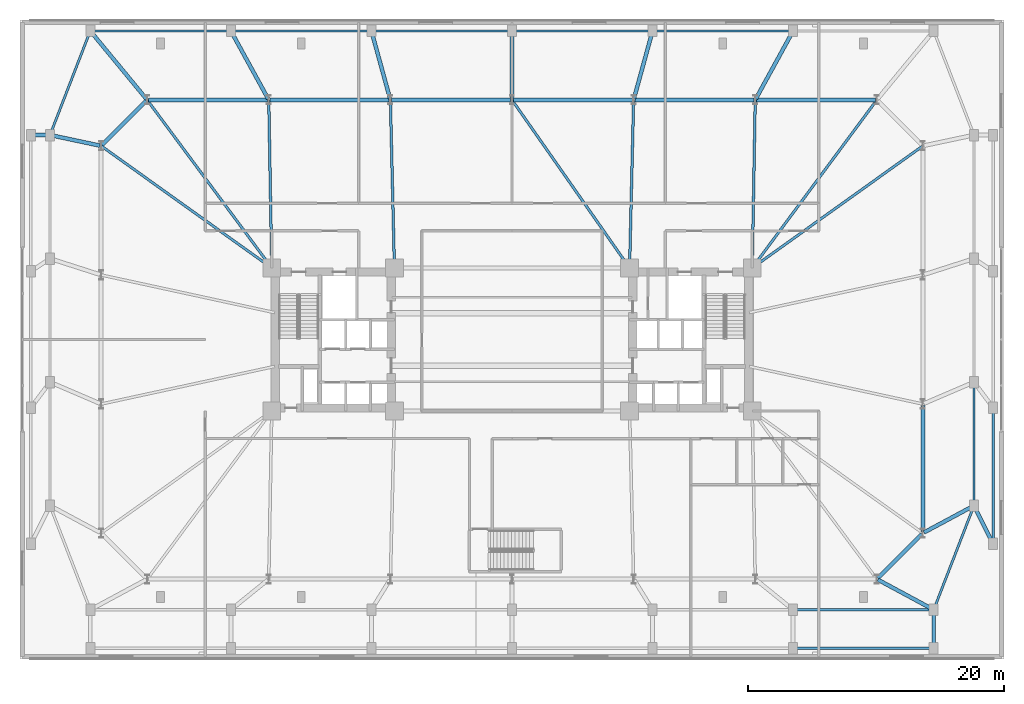
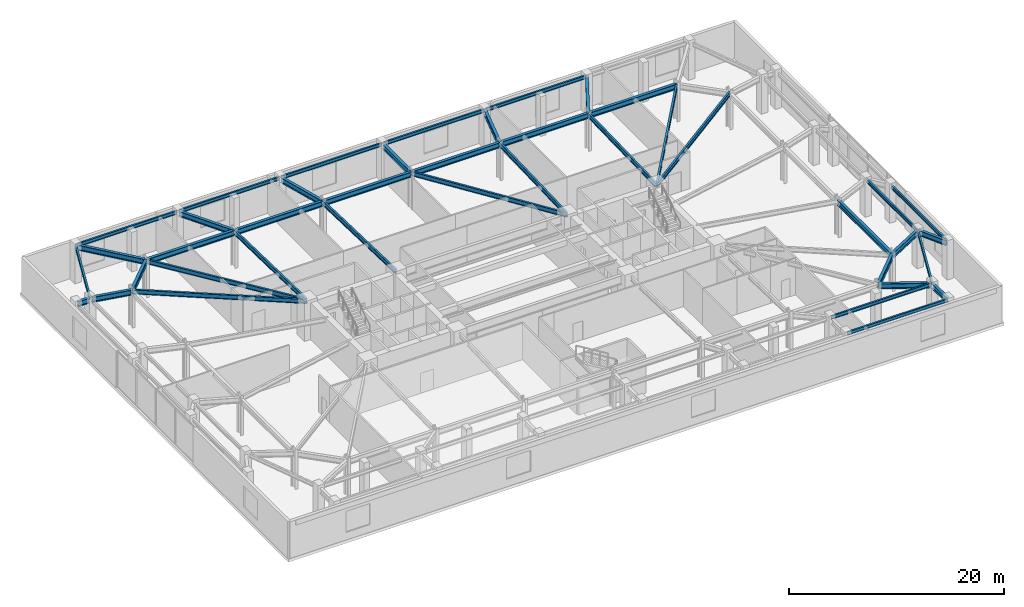
# One storey, part 10 of 23: 41 beams.
"""IFC4 building model written with IfcOpenShell, lengths in metres."""

from ifc_helpers import new_model, si_unit, direction, frame, origin, origin_2d, place, context, subcontext, project, spatial, i_section, extrude, material, material_profile, profile_set, type_object, element, save


model = new_model("IFC4")

# Units and contexts
model_context = context("Model", 3, precision=1e-05, world=origin(), true_north=direction((0.0, 1.0)))
body_context = subcontext(model_context, "Body", "Model", "MODEL_VIEW")
ifc_project = project(units=[si_unit("LENGTHUNIT", "METRE"), si_unit("AREAUNIT", "SQUARE_METRE"), si_unit("VOLUMEUNIT", "CUBIC_METRE"), si_unit("PLANEANGLEUNIT", "RADIAN"), si_unit("MASSUNIT", "GRAM", prefix="KILO")], contexts=[model_context])

# Site, building, storey
site_placement = place(None, origin())
site = spatial("IfcSite", under=ifc_project, at=site_placement, CompositionType="ELEMENT")
building_placement = place(site_placement, origin())
building = spatial("IfcBuilding", under=site, at=building_placement, Name="Qobustan Lattice House", CompositionType="ELEMENT")
storey_placement = place(building_placement, frame((0.0, 0.0, 9.0)))
storey = spatial("IfcBuildingStorey", under=building, at=storey_placement, Name="L02", CompositionType="ELEMENT", Elevation=9.0)

# Beams
ifc_material_1 = material(Name="Steel S355", Category="steel")
ifc_material_profile_1 = material_profile(ifc_material_1, i_section(OverallWidth=0.199951171875, OverallDepth=0.5, WebThickness=0.01025390625, FlangeThickness=0.01611328125, FilletRadius=0.02099609375, at=origin_2d()), Name="IPE500")
ifc_profile_set_1 = profile_set([ifc_material_profile_1], Name="Steel S355")
beam_type_1 = type_object("IfcBeamType", Name="BM-FLG-IPE500", PredefinedType="USERDEFINED", material=ifc_profile_set_1)
beam_1_placement = place(storey_placement, frame((-28.53515625, 18.72998046875, 3.919921875), z_axis=(0.5955916815, -0.803287338956, 0.0), x_axis=(0.803287338956, 0.5955916815, 0.0)))
element("IfcBeam", 1, at=beam_1_placement, inside=storey, type_object=beam_type_1, Name="L02 primary floor girder RAD-N7W", ObjectType="GIRDER", PredefinedType="USERDEFINED", context=body_context, shape_type="SweptSolid", body=[
    extrude(i_section(OverallWidth=0.199951171875, OverallDepth=0.5, WebThickness=0.01025390625, FlangeThickness=0.01611328125, FilletRadius=0.02099609375, at=origin_2d()), origin(), (0.0, 0.0, 1.0), 16.3203125),
])
beam_2_placement = place(storey_placement, frame((-19.032958984375, 18.72509765625, 3.919921875), z_axis=(0.017757831607, -0.999842317276, 0.0), x_axis=(0.999842317276, 0.017757831607, 0.0)))
element("IfcBeam", 2, at=beam_2_placement, inside=storey, type_object=beam_type_1, Name="L02 primary floor girder RAD-N6", ObjectType="GIRDER", PredefinedType="USERDEFINED", context=body_context, shape_type="SweptSolid", body=[
    extrude(i_section(OverallWidth=0.199951171875, OverallDepth=0.5, WebThickness=0.01025390625, FlangeThickness=0.01611328125, FilletRadius=0.02099609375, at=origin_2d()), origin(), (0.0, 0.0, 1.0), 13.10205078125),
])
beam_3_placement = place(storey_placement, frame((-9.51611328125, 18.72509765625, 3.919921875), z_axis=(0.024071445657, -0.999710240772, 0.0), x_axis=(0.999710240772, 0.024071445657, 0.0)))
element("IfcBeam", 3, at=beam_3_placement, inside=storey, type_object=beam_type_1, Name="L02 primary floor girder RAD-N5", ObjectType="GIRDER", PredefinedType="USERDEFINED", context=body_context, shape_type="SweptSolid", body=[
    extrude(i_section(OverallWidth=0.199951171875, OverallDepth=0.5, WebThickness=0.01025390625, FlangeThickness=0.01611328125, FilletRadius=0.02099609375, at=origin_2d()), origin(), (0.0, 0.0, 1.0), 13.10400390625),
])
beam_4_placement = place(storey_placement, frame((0.014404296875, 18.7294921875, 3.919921875), z_axis=(0.57325954206, -0.819373844736, 0.0), x_axis=(0.819373844736, 0.57325954206, 0.0)))
element("IfcBeam", 4, at=beam_4_placement, inside=storey, type_object=beam_type_1, Name="L02 primary floor girder RAD-N4", ObjectType="GIRDER", PredefinedType="USERDEFINED", context=body_context, shape_type="SweptSolid", body=[
    extrude(i_section(OverallWidth=0.199951171875, OverallDepth=0.5, WebThickness=0.01025390625, FlangeThickness=0.01611328125, FilletRadius=0.02099609375, at=origin_2d()), origin(), (0.0, 0.0, 1.0), 15.998779296875),
])
beam_5_placement = place(storey_placement, frame((9.51611328125, 18.72509765625, 3.919921875), z_axis=(-0.024071445657, -0.999710240772, 0.0), x_axis=(0.999710240772, -0.024071445657, 0.0)))
element("IfcBeam", 5, at=beam_5_placement, inside=storey, type_object=beam_type_1, Name="L02 primary floor girder RAD-N3", ObjectType="GIRDER", PredefinedType="USERDEFINED", context=body_context, shape_type="SweptSolid", body=[
    extrude(i_section(OverallWidth=0.199951171875, OverallDepth=0.5, WebThickness=0.01025390625, FlangeThickness=0.01611328125, FilletRadius=0.02099609375, at=origin_2d()), origin(), (0.0, 0.0, 1.0), 13.10400390625),
])
beam_6_placement = place(storey_placement, frame((19.032958984375, 18.72509765625, 3.919921875), z_axis=(-0.017757831607, -0.999842317276, 0.0), x_axis=(0.999842317276, -0.017757831607, 0.0)))
element("IfcBeam", 6, at=beam_6_placement, inside=storey, type_object=beam_type_1, Name="L02 primary floor girder RAD-N2", ObjectType="GIRDER", PredefinedType="USERDEFINED", context=body_context, shape_type="SweptSolid", body=[
    extrude(i_section(OverallWidth=0.199951171875, OverallDepth=0.5, WebThickness=0.01025390625, FlangeThickness=0.01611328125, FilletRadius=0.02099609375, at=origin_2d()), origin(), (0.0, 0.0, 1.0), 13.10205078125),
])
beam_7_placement = place(storey_placement, frame((28.53515625, 18.72998046875, 3.919921875), z_axis=(-0.5955916815, -0.803287338956, 0.0), x_axis=(0.803287338956, -0.5955916815, 0.0)))
element("IfcBeam", 7, at=beam_7_placement, inside=storey, type_object=beam_type_1, Name="L02 primary floor girder RAD-N1E", ObjectType="GIRDER", PredefinedType="USERDEFINED", context=body_context, shape_type="SweptSolid", body=[
    extrude(i_section(OverallWidth=0.199951171875, OverallDepth=0.5, WebThickness=0.01025390625, FlangeThickness=0.01611328125, FilletRadius=0.02099609375, at=origin_2d()), origin(), (0.0, 0.0, 1.0), 16.3203125),
])
for number, where, z_axis, x_axis, name in (
    (8, (-32.129638671875, 15.135498046875, 3.919921875), (0.813318954893, -0.581818079481, 0.0), (0.581818079481, 0.813318954893, 0.0), "L02 primary floor girder RAD-W1"),
    (9, (32.129638671875, 15.135498046875, 3.919921875), (-0.813318954893, -0.581818079481, 0.0), (0.581818079481, -0.813318954893, 0.0), "L02 primary floor girder RAD-E4"),
):
    element("IfcBeam", number, at=place(storey_placement, frame(where, z_axis=z_axis, x_axis=x_axis)), inside=storey, type_object=beam_type_1, Name=name, ObjectType="GIRDER", PredefinedType="USERDEFINED", context=body_context, shape_type="SweptSolid", body=[
        extrude(i_section(OverallWidth=0.199951171875, OverallDepth=0.5, WebThickness=0.01025390625, FlangeThickness=0.01611328125, FilletRadius=0.02099609375, at=origin_2d()), origin(), (0.0, 0.0, 1.0), 16.3642578125),
    ])
ifc_material_2 = material(Name="Steel S355", Category="steel")
ifc_material_profile_2 = material_profile(ifc_material_2, i_section(OverallWidth=0.300048828125, OverallDepth=0.60009765625, WebThickness=0.015380859375, FlangeThickness=0.030029296875, FilletRadius=0.027099609375, at=origin_2d()), Name="HEB600")
ifc_profile_set_2 = profile_set([ifc_material_profile_2], Name="Steel S355")
beam_type_2 = type_object("IfcBeamType", Name="BM-POD-HEB600", PredefinedType="USERDEFINED", material=ifc_profile_set_2)
beam_8_placement = place(storey_placement, frame((33.0, -24.030029296875, 3.8701171875), z_axis=(0.0, 1.0, 0.0), x_axis=(-1.0, 0.0, 0.0)))
element("IfcBeam", 10, at=beam_8_placement, inside=storey, type_object=beam_type_2, Name="L02 south terrace tie girder 7", ObjectType="GIRDER", PredefinedType="USERDEFINED", context=body_context, shape_type="SweptSolid", body=[
    extrude(i_section(OverallWidth=0.300048828125, OverallDepth=0.60009765625, WebThickness=0.015380859375, FlangeThickness=0.030029296875, FilletRadius=0.027099609375, at=origin_2d()), origin(), (0.0, 0.0, 1.0), 2.760009765625),
])
beam_9_placement = place(storey_placement, frame((37.59619140625, -15.892578125, 3.8701171875), z_axis=(-0.4472135955, 0.894427191, 0.0), x_axis=(-0.894427191, -0.4472135955, 0.0)))
element("IfcBeam", 11, at=beam_9_placement, inside=storey, type_object=beam_type_2, Name="L02 setback tie girder PEL1", ObjectType="GIRDER", PredefinedType="USERDEFINED", context=body_context, shape_type="SweptSolid", body=[
    extrude(i_section(OverallWidth=0.300048828125, OverallDepth=0.60009765625, WebThickness=0.015380859375, FlangeThickness=0.030029296875, FilletRadius=0.027099609375, at=origin_2d()), origin(), (0.0, 0.0, 1.0), 3.114013671875),
])
beam_10_placement = place(storey_placement, frame((-37.530029296875, 16.0, 3.8701171875), z_axis=(1.0, 0.0, 0.0), x_axis=(0.0, 1.0, 0.0)))
element("IfcBeam", 12, at=beam_10_placement, inside=storey, type_object=beam_type_2, Name="L02 setback tie girder PWL4", ObjectType="GIRDER", PredefinedType="USERDEFINED", context=body_context, shape_type="SweptSolid", body=[
    extrude(i_section(OverallWidth=0.300048828125, OverallDepth=0.60009765625, WebThickness=0.015380859375, FlangeThickness=0.030029296875, FilletRadius=0.027099609375, at=origin_2d()), origin(), (0.0, 0.0, 1.0), 1.260009765625),
])
beam_11_placement = place(storey_placement, frame((28.62060546875, -18.67919921875, 3.8701171875), z_axis=(0.70713173775, 0.707081823743, 0.0), x_axis=(-0.707081823743, 0.70713173775, 0.0)))
element("IfcBeam", 13, at=beam_11_placement, inside=storey, type_object=beam_type_2, Name="L02 tower base ring girder S7-E1", ObjectType="GIRDER", PredefinedType="USERDEFINED", context=body_context, shape_type="SweptSolid", body=[
    extrude(i_section(OverallWidth=0.300048828125, OverallDepth=0.60009765625, WebThickness=0.015380859375, FlangeThickness=0.030029296875, FilletRadius=0.027099609375, at=origin_2d()), origin(), (0.0, 0.0, 1.0), 4.89111328125),
])
beam_12_placement = place(storey_placement, frame((32.14990234375, -15.050048828125, 3.8701171875), z_axis=(0.0, 1.0, 0.0), x_axis=(-1.0, 0.0, 0.0)))
element("IfcBeam", 14, at=beam_12_placement, inside=storey, type_object=beam_type_2, Name="L02 tower base ring girder E1-E2", ObjectType="GIRDER", PredefinedType="USERDEFINED", context=body_context, shape_type="SweptSolid", body=[
    extrude(i_section(OverallWidth=0.300048828125, OverallDepth=0.60009765625, WebThickness=0.015380859375, FlangeThickness=0.030029296875, FilletRadius=0.027099609375, at=origin_2d()), origin(), (0.0, 0.0, 1.0), 9.900146484375),
])
for number, where, z_axis, x_axis, name in (
    (15, (28.449951171875, 18.75, 3.8701171875), (-1.0, 0.0, 0.0), (0.0, -1.0, 0.0), "L02 tower base ring girder N1-N2"),
    (16, (18.933349609375, 18.75, 3.8701171875), (-1.0, 0.0, 0.0), (0.0, -1.0, 0.0), "L02 tower base ring girder N2-N3"),
    (17, (9.416748046875, 18.75, 3.8701171875), (-1.0, 0.0, 0.0), (0.0, -1.0, 0.0), "L02 tower base ring girder N3-N4"),
    (18, (-0.10009765625, 18.75, 3.8701171875), (-1.0, 0.0, 0.0), (0.0, -1.0, 0.0), "L02 tower base ring girder N4-N5"),
    (19, (-9.61669921875, 18.75, 3.8701171875), (-1.0, 0.0, 0.0), (0.0, -1.0, 0.0), "L02 tower base ring girder N5-N6"),
    (20, (-19.13330078125, 18.75, 3.8701171875), (-1.0, 0.0, 0.0), (0.0, -1.0, 0.0), "L02 tower base ring girder N6-N7"),
):
    element("IfcBeam", number, at=place(storey_placement, frame(where, z_axis=z_axis, x_axis=x_axis)), inside=storey, type_object=beam_type_2, Name=name, ObjectType="GIRDER", PredefinedType="USERDEFINED", context=body_context, shape_type="SweptSolid", body=[
        extrude(i_section(OverallWidth=0.300048828125, OverallDepth=0.60009765625, WebThickness=0.015380859375, FlangeThickness=0.030029296875, FilletRadius=0.027099609375, at=origin_2d()), origin(), (0.0, 0.0, 1.0), 9.316650390625),
    ])
beam_13_placement = place(storey_placement, frame((-28.62060546875, 18.67919921875, 3.8701171875), z_axis=(-0.70713173775, -0.707081823743, 0.0), x_axis=(0.707081823743, -0.70713173775, 0.0)))
element("IfcBeam", 21, at=beam_13_placement, inside=storey, type_object=beam_type_2, Name="L02 tower base ring girder N7-W1", ObjectType="GIRDER", PredefinedType="USERDEFINED", context=body_context, shape_type="SweptSolid", body=[
    extrude(i_section(OverallWidth=0.300048828125, OverallDepth=0.60009765625, WebThickness=0.015380859375, FlangeThickness=0.030029296875, FilletRadius=0.027099609375, at=origin_2d()), origin(), (0.0, 0.0, 1.0), 4.89111328125),
])
beam_14_placement = place(storey_placement, frame((-32.923583984375, 24.057373046875, 3.8701171875), z_axis=(0.635954703728, -0.771726385973, 0.0), x_axis=(0.771726385973, 0.635954703728, 0.0)))
element("IfcBeam", 22, at=beam_14_placement, inside=storey, type_object=beam_type_2, Name="L02 podium radial girder PN1", ObjectType="GIRDER", PredefinedType="USERDEFINED", context=body_context, shape_type="SweptSolid", body=[
    extrude(i_section(OverallWidth=0.300048828125, OverallDepth=0.60009765625, WebThickness=0.015380859375, FlangeThickness=0.030029296875, FilletRadius=0.027099609375, at=origin_2d()), origin(), (0.0, 0.0, 1.0), 6.77734375),
])
beam_15_placement = place(storey_placement, frame((-21.942138671875, 24.044921875, 3.8701171875), z_axis=(0.481478583255, -0.876457856298, 0.0), x_axis=(0.876457856298, 0.481478583255, 0.0)))
element("IfcBeam", 23, at=beam_15_placement, inside=storey, type_object=beam_type_2, Name="L02 podium radial girder PN2", ObjectType="GIRDER", PredefinedType="USERDEFINED", context=body_context, shape_type="SweptSolid", body=[
    extrude(i_section(OverallWidth=0.300048828125, OverallDepth=0.60009765625, WebThickness=0.015380859375, FlangeThickness=0.030029296875, FilletRadius=0.027099609375, at=origin_2d()), origin(), (0.0, 0.0, 1.0), 5.941162109375),
])
beam_16_placement = place(storey_placement, frame((-10.96826171875, 24.0341796875, 3.8701171875), z_axis=(0.264883295611, -0.964280477717, 0.0), x_axis=(0.964280477717, 0.264883295611, 0.0)))
element("IfcBeam", 24, at=beam_16_placement, inside=storey, type_object=beam_type_2, Name="L02 podium radial girder PN3", ObjectType="GIRDER", PredefinedType="USERDEFINED", context=body_context, shape_type="SweptSolid", body=[
    extrude(i_section(OverallWidth=0.300048828125, OverallDepth=0.60009765625, WebThickness=0.015380859375, FlangeThickness=0.030029296875, FilletRadius=0.027099609375, at=origin_2d()), origin(), (0.0, 0.0, 1.0), 5.3798828125),
])
beam_17_placement = place(storey_placement, frame((0.0, 24.030029296875, 3.8701171875), z_axis=(0.0, -1.0, 0.0), x_axis=(1.0, 0.0, 0.0)))
element("IfcBeam", 25, at=beam_17_placement, inside=storey, type_object=beam_type_2, Name="L02 podium radial girder PN4", ObjectType="GIRDER", PredefinedType="USERDEFINED", context=body_context, shape_type="SweptSolid", body=[
    extrude(i_section(OverallWidth=0.300048828125, OverallDepth=0.60009765625, WebThickness=0.015380859375, FlangeThickness=0.030029296875, FilletRadius=0.027099609375, at=origin_2d()), origin(), (0.0, 0.0, 1.0), 5.179931640625),
])
beam_18_placement = place(storey_placement, frame((10.96826171875, 24.0341796875, 3.8701171875), z_axis=(-0.264883295611, -0.964280477717, 0.0), x_axis=(0.964280477717, -0.264883295611, 0.0)))
element("IfcBeam", 26, at=beam_18_placement, inside=storey, type_object=beam_type_2, Name="L02 podium radial girder PN5", ObjectType="GIRDER", PredefinedType="USERDEFINED", context=body_context, shape_type="SweptSolid", body=[
    extrude(i_section(OverallWidth=0.300048828125, OverallDepth=0.60009765625, WebThickness=0.015380859375, FlangeThickness=0.030029296875, FilletRadius=0.027099609375, at=origin_2d()), origin(), (0.0, 0.0, 1.0), 5.3798828125),
])
beam_19_placement = place(storey_placement, frame((21.942138671875, 24.044921875, 3.8701171875), z_axis=(-0.481478583255, -0.876457856298, 0.0), x_axis=(0.876457856298, -0.481478583255, 0.0)))
element("IfcBeam", 27, at=beam_19_placement, inside=storey, type_object=beam_type_2, Name="L02 podium radial girder PN6", ObjectType="GIRDER", PredefinedType="USERDEFINED", context=body_context, shape_type="SweptSolid", body=[
    extrude(i_section(OverallWidth=0.300048828125, OverallDepth=0.60009765625, WebThickness=0.015380859375, FlangeThickness=0.030029296875, FilletRadius=0.027099609375, at=origin_2d()), origin(), (0.0, 0.0, 1.0), 5.941162109375),
])
beam_20_placement = place(storey_placement, frame((32.894287109375, -21.093017578125, 3.8701171875), z_axis=(-0.88016615165, 0.474665719732, 0.0), x_axis=(-0.474665719732, -0.88016615165, 0.0)))
element("IfcBeam", 28, at=beam_20_placement, inside=storey, type_object=beam_type_2, Name="L02 podium radial girder PS7", ObjectType="GIRDER", PredefinedType="USERDEFINED", context=body_context, shape_type="SweptSolid", body=[
    extrude(i_section(OverallWidth=0.300048828125, OverallDepth=0.60009765625, WebThickness=0.015380859375, FlangeThickness=0.030029296875, FilletRadius=0.027099609375, at=origin_2d()), origin(), (0.0, 0.0, 1.0), 4.8359375),
])
beam_21_placement = place(storey_placement, frame((36.044189453125, -13.056884765625, 3.8701171875), z_axis=(-0.880815561441, -0.473459551307, 0.0), x_axis=(0.473459551307, -0.880815561441, 0.0)))
element("IfcBeam", 29, at=beam_21_placement, inside=storey, type_object=beam_type_2, Name="L02 podium radial girder PE1", ObjectType="GIRDER", PredefinedType="USERDEFINED", context=body_context, shape_type="SweptSolid", body=[
    extrude(i_section(OverallWidth=0.300048828125, OverallDepth=0.60009765625, WebThickness=0.015380859375, FlangeThickness=0.030029296875, FilletRadius=0.027099609375, at=origin_2d()), origin(), (0.0, 0.0, 1.0), 4.3212890625),
])
beam_22_placement = place(storey_placement, frame((-36.03271484375, 15.97509765625, 3.8701171875), z_axis=(0.978163821655, -0.207835362738, 0.0), x_axis=(0.207835362738, 0.978163821655, 0.0)))
element("IfcBeam", 30, at=beam_22_placement, inside=storey, type_object=beam_type_2, Name="L02 podium radial girder PW4", ObjectType="GIRDER", PredefinedType="USERDEFINED", context=body_context, shape_type="SweptSolid", body=[
    extrude(i_section(OverallWidth=0.300048828125, OverallDepth=0.60009765625, WebThickness=0.015380859375, FlangeThickness=0.030029296875, FilletRadius=0.027099609375, at=origin_2d()), origin(), (0.0, 0.0, 1.0), 3.869384765625),
])
ifc_material_3 = material(Name="Steel S355", Category="steel")
ifc_material_profile_3 = material_profile(ifc_material_3, i_section(OverallWidth=0.179931640625, OverallDepth=0.39990234375, WebThickness=0.008544921875, FlangeThickness=0.013427734375, FilletRadius=0.02099609375, at=origin_2d()), Name="IPE400")
ifc_profile_set_3 = profile_set([ifc_material_profile_3], Name="Steel S355")
beam_type_3 = type_object("IfcBeamType", Name="BM-SPD-IPE400", PredefinedType="SPANDREL", material=ifc_profile_set_3)
for number, where, z_axis, x_axis, name in (
    (31, (22.1201171875, -21.14990234375, 3.969970703125), (1.0, 0.0, 0.0), (0.0, 1.0, 0.0), "L02 podium spandrel PS6-PS7"),
    (32, (-32.8798828125, 24.14990234375, 3.969970703125), (1.0, 0.0, 0.0), (0.0, 1.0, 0.0), "L02 podium spandrel PN1-PN2"),
    (33, (-21.8798828125, 24.14990234375, 3.969970703125), (1.0, 0.0, 0.0), (0.0, 1.0, 0.0), "L02 podium spandrel PN2-PN3"),
    (34, (-10.8798828125, 24.14990234375, 3.969970703125), (1.0, 0.0, 0.0), (0.0, 1.0, 0.0), "L02 podium spandrel PN3-PN4"),
    (35, (0.1201171875, 24.14990234375, 3.969970703125), (1.0, 0.0, 0.0), (0.0, 1.0, 0.0), "L02 podium spandrel PN4-PN5"),
    (36, (11.1201171875, 24.14990234375, 3.969970703125), (1.0, 0.0, 0.0), (0.0, 1.0, 0.0), "L02 podium spandrel PN5-PN6"),
):
    element("IfcBeam", number, at=place(storey_placement, frame(where, z_axis=z_axis, x_axis=x_axis)), inside=storey, type_object=beam_type_3, Name=name, PredefinedType="SPANDREL", context=body_context, shape_type="SweptSolid", body=[
        extrude(i_section(OverallWidth=0.179931640625, OverallDepth=0.39990234375, WebThickness=0.008544921875, FlangeThickness=0.013427734375, FilletRadius=0.02099609375, at=origin_2d()), origin(), (0.0, 0.0, 1.0), 10.759765625),
    ])
beam_23_placement = place(storey_placement, frame((36.14990234375, -12.8798828125, 3.969970703125), z_axis=(0.0, 1.0, 0.0), x_axis=(-1.0, 0.0, 0.0)))
element("IfcBeam", 37, at=beam_23_placement, inside=storey, type_object=beam_type_3, Name="L02 podium spandrel PE1-PE2", PredefinedType="SPANDREL", context=body_context, shape_type="SweptSolid", body=[
    extrude(i_section(OverallWidth=0.179931640625, OverallDepth=0.39990234375, WebThickness=0.008544921875, FlangeThickness=0.013427734375, FilletRadius=0.02099609375, at=origin_2d()), origin(), (0.0, 0.0, 1.0), 9.426513671875),
])
beam_24_placement = place(storey_placement, frame((-36.106689453125, 16.112060546875, 3.969970703125), z_axis=(0.360516886299, 0.932752686779, 0.0), x_axis=(-0.932752686779, 0.360516886299, 0.0)))
element("IfcBeam", 38, at=beam_24_placement, inside=storey, type_object=beam_type_3, Name="L02 podium corner tie PW4-PN1", PredefinedType="SPANDREL", context=body_context, shape_type="SweptSolid", body=[
    extrude(i_section(OverallWidth=0.179931640625, OverallDepth=0.39990234375, WebThickness=0.008544921875, FlangeThickness=0.013427734375, FilletRadius=0.02099609375, at=origin_2d()), origin(), (0.0, 0.0, 1.0), 8.49755859375),
])
beam_25_placement = place(storey_placement, frame((36.106689453125, -13.11181640625, 3.969970703125), z_axis=(-0.360507225068, -0.93275642087, 0.0), x_axis=(0.93275642087, -0.360507225068, 0.0)))
element("IfcBeam", 39, at=beam_25_placement, inside=storey, type_object=beam_type_3, Name="L02 podium corner tie PE1-PS7", PredefinedType="SPANDREL", context=body_context, shape_type="SweptSolid", body=[
    extrude(i_section(OverallWidth=0.179931640625, OverallDepth=0.39990234375, WebThickness=0.008544921875, FlangeThickness=0.013427734375, FilletRadius=0.02099609375, at=origin_2d()), origin(), (0.0, 0.0, 1.0), 8.497802734375),
])
beam_26_placement = place(storey_placement, frame((22.1201171875, -24.14990234375, 3.969970703125), z_axis=(1.0, 0.0, 0.0), x_axis=(0.0, 1.0, 0.0)))
element("IfcBeam", 40, at=beam_26_placement, inside=storey, type_object=beam_type_3, Name="L02 lower podium spandrel PSL6-PSL7", PredefinedType="SPANDREL", context=body_context, shape_type="SweptSolid", body=[
    extrude(i_section(OverallWidth=0.179931640625, OverallDepth=0.39990234375, WebThickness=0.008544921875, FlangeThickness=0.013427734375, FilletRadius=0.02099609375, at=origin_2d()), origin(), (0.0, 0.0, 1.0), 10.759765625),
])
beam_27_placement = place(storey_placement, frame((37.64990234375, -15.8798828125, 3.969970703125), z_axis=(0.0, 1.0, 0.0), x_axis=(-1.0, 0.0, 0.0)))
element("IfcBeam", 41, at=beam_27_placement, inside=storey, type_object=beam_type_3, Name="L02 lower podium spandrel PEL1-PEL2", PredefinedType="SPANDREL", context=body_context, shape_type="SweptSolid", body=[
    extrude(i_section(OverallWidth=0.179931640625, OverallDepth=0.39990234375, WebThickness=0.008544921875, FlangeThickness=0.013427734375, FilletRadius=0.02099609375, at=origin_2d()), origin(), (0.0, 0.0, 1.0), 10.426513671875),
])

save(model, "model.ifc")
